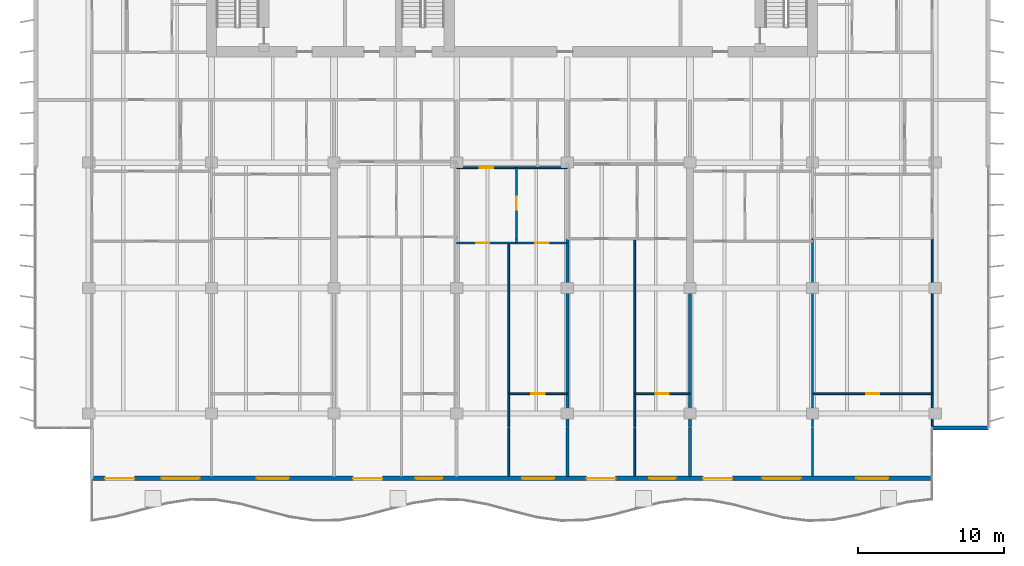
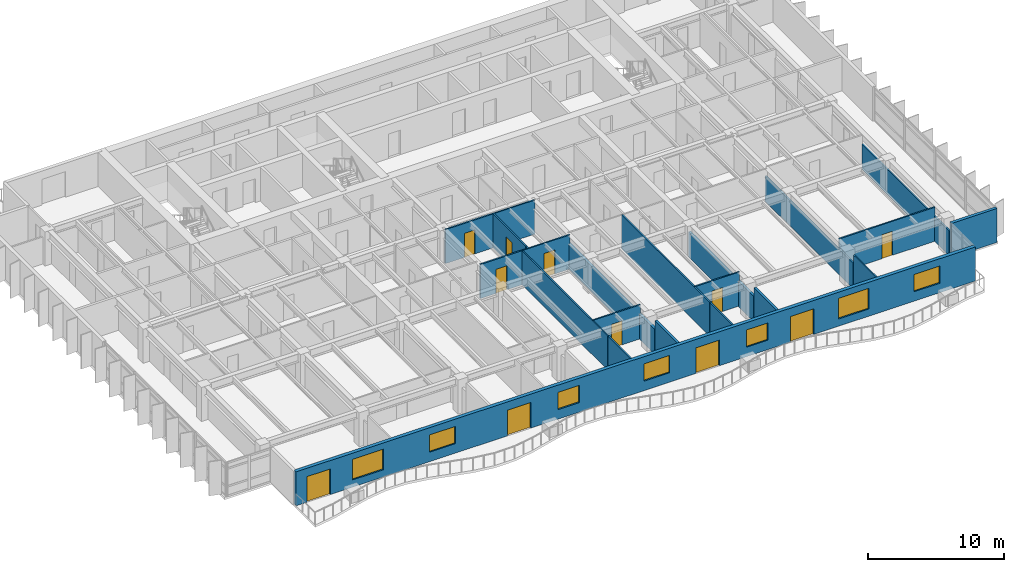
# One storey, part 10 of 19: 20 walls, 11 doors, 7 windows, 18 openings.
"""IFC4 building model written with IfcOpenShell, lengths in metres."""

from ifc_helpers import new_model, si_unit, direction, frame, frame_2d, origin, place, context, subcontext, project, spatial, rectangle, extrude, material, layer, layer_set, type_object, element, fill, save


model = new_model("IFC4")

# Units and contexts
model_context = context("Model", 3, precision=1e-05, world=origin(), true_north=direction((0.0, 1.0)))
body_context = subcontext(model_context, "Body", "Model", "MODEL_VIEW")
ifc_project = project(units=[si_unit("LENGTHUNIT", "METRE"), si_unit("AREAUNIT", "SQUARE_METRE"), si_unit("VOLUMEUNIT", "CUBIC_METRE"), si_unit("PLANEANGLEUNIT", "RADIAN"), si_unit("MASSUNIT", "GRAM", prefix="KILO")], contexts=[model_context])

# Site, building, storey
site_placement = place(None, origin())
site = spatial("IfcSite", under=ifc_project, at=site_placement, CompositionType="ELEMENT")
building_placement = place(site_placement, origin())
building = spatial("IfcBuilding", under=site, at=building_placement, Name="Caelmar Bay Residences", CompositionType="ELEMENT")
storey_placement = place(building_placement, frame((0.0, 0.0, 167.10009765625)))
storey = spatial("IfcBuildingStorey", under=building, at=storey_placement, Name="L46", CompositionType="ELEMENT", Elevation=167.10009765625)

# Wall
ifc_material_1 = material(Name="Precast concrete f'c 40 MPa (6,000 psi)", Category="concrete")
ifc_layer_1 = layer(ifc_material_1, 0.25)
ifc_layer_set_1 = layer_set([ifc_layer_1], Name="Precast concrete f'c 40 MPa (6,000 psi)")
wall_type_1 = type_object("IfcWallType", Name="W-EXT-250", PredefinedType="ELEMENTEDWALL", material=ifc_layer_set_1)
wall_1_placement = place(storey_placement, frame((67.699951171875, 11.199951171875, 0.0), z_axis=(0.0, 0.0, 1.0), x_axis=(1.0, 0.0, 0.0)))
element("IfcWall", 1, at=wall_1_placement, inside=storey, type_object=wall_type_1, Name="L46 SE Notch Return Wall", PredefinedType="ELEMENTEDWALL", context=body_context, shape_type="SweptSolid", body=[
    extrude(rectangle(XDim=3.85009765625, YDim=0.25, at=frame_2d((1.925048828125, 0.0))), origin(), (0.0, 0.0, 1.0), 3.0498046875),
])

# Wall, openings, doors, windows
ifc_layer_2 = layer(ifc_material_1, 0.300048828125)
ifc_layer_set_2 = layer_set([ifc_layer_2], Name="Precast concrete f'c 40 MPa (6,000 psi)")
wall_type_2 = type_object("IfcWallType", Name="W-EXT-300", PredefinedType="STANDARD", material=ifc_layer_set_2)
wall_2_placement = place(storey_placement, frame((67.699951171875, 7.75, 0.0), z_axis=(0.0, 0.0, 1.0), x_axis=(-1.0, 0.0, 0.0)))
wall_2 = element("IfcWall", 2, at=wall_2_placement, inside=storey, type_object=wall_type_2, Name="L46 South Bayfront Exterior Wall", PredefinedType="STANDARD", context=body_context, shape_type="SweptSolid", body=[
    extrude(rectangle(XDim=57.599853515625, YDim=0.300048828125, at=frame_2d((28.7998046875, 0.0))), origin(), (0.0, 0.0, 1.0), 3.0498046875),
])
opening_1_placement = place(wall_2_placement, frame((54.68994140625, 0.0, 0.0)))
opening_1 = element("IfcOpeningElement", 3, at=opening_1_placement, cuts=wall_2, Name="Opening L46-BD01", PredefinedType="OPENING", context=body_context, shape_type="SweptSolid", body=[
    extrude(rectangle(XDim=2.0, YDim=2.300048828125, at=frame_2d((1.0, 1.14990234375))), frame((0.0, 0.159912109375, 0.0), z_axis=(0.0, -1.0, 0.0), x_axis=(1.0, 0.0, 0.0)), (0.0, 0.0, 1.0), 0.320068359375),
])
opening_2_placement = place(wall_2_placement, frame((50.2099609375, 0.0, 0.64990234375)))
opening_2 = element("IfcOpeningElement", 4, at=opening_2_placement, cuts=wall_2, Name="Opening WN3", PredefinedType="OPENING", context=body_context, shape_type="SweptSolid", body=[
    extrude(rectangle(XDim=2.60009765625, YDim=1.85009765625, at=frame_2d((1.300048828125, 0.925048828125))), frame((0.0, 0.159912109375, 0.0), z_axis=(0.0, -1.0, 0.0), x_axis=(1.0, 0.0, 0.0)), (0.0, 0.0, 1.0), 0.320068359375),
])
opening_3_placement = place(wall_2_placement, frame((44.10009765625, 0.0, 0.85009765625)))
opening_3 = element("IfcOpeningElement", 5, at=opening_3_placement, cuts=wall_2, Name="Opening WN2", PredefinedType="OPENING", context=body_context, shape_type="SweptSolid", body=[
    extrude(rectangle(XDim=2.199951171875, YDim=1.550048828125, at=frame_2d((1.10009765625, 0.77490234375))), frame((0.0, 0.159912109375, 0.0), z_axis=(0.0, -1.0, 0.0), x_axis=(1.0, 0.0, 0.0)), (0.0, 0.0, 1.0), 0.320068359375),
])
opening_4_placement = place(wall_2_placement, frame((37.68994140625, 0.0, 0.0)))
opening_4 = element("IfcOpeningElement", 6, at=opening_4_placement, cuts=wall_2, Name="Opening L46-BD02", PredefinedType="OPENING", context=body_context, shape_type="SweptSolid", body=[
    extrude(rectangle(XDim=2.0, YDim=2.300048828125, at=frame_2d((1.0, 1.14990234375))), frame((0.0, 0.159912109375, 0.0), z_axis=(0.0, -1.0, 0.0), x_axis=(1.0, 0.0, 0.0)), (0.0, 0.0, 1.0), 0.320068359375),
])
opening_5_placement = place(wall_2_placement, frame((33.590087890625, 0.0, 0.85009765625)))
opening_5 = element("IfcOpeningElement", 7, at=opening_5_placement, cuts=wall_2, Name="Opening WN1", PredefinedType="OPENING", context=body_context, shape_type="SweptSolid", body=[
    extrude(rectangle(XDim=1.800048828125, YDim=1.550048828125, at=frame_2d((0.89990234375, 0.77490234375))), frame((0.0, 0.159912109375, 0.0), z_axis=(0.0, -1.0, 0.0), x_axis=(1.0, 0.0, 0.0)), (0.0, 0.0, 1.0), 0.320068359375),
])
opening_6_placement = place(wall_2_placement, frame((25.9140625, 0.0, 0.85009765625)))
opening_6 = element("IfcOpeningElement", 8, at=opening_6_placement, cuts=wall_2, Name="Opening WN2", PredefinedType="OPENING", context=body_context, shape_type="SweptSolid", body=[
    extrude(rectangle(XDim=2.199951171875, YDim=1.550048828125, at=frame_2d((1.10009765625, 0.77490234375))), frame((0.0, 0.159912109375, 0.0), z_axis=(0.0, -1.0, 0.0), x_axis=(1.0, 0.0, 0.0)), (0.0, 0.0, 1.0), 0.320068359375),
])
opening_7_placement = place(wall_2_placement, frame((21.68994140625, 0.0, 0.0)))
opening_7 = element("IfcOpeningElement", 9, at=opening_7_placement, cuts=wall_2, Name="Opening L46-BD03", PredefinedType="OPENING", context=body_context, shape_type="SweptSolid", body=[
    extrude(rectangle(XDim=2.0, YDim=2.300048828125, at=frame_2d((1.0, 1.14990234375))), frame((0.0, 0.159912109375, 0.0), z_axis=(0.0, -1.0, 0.0), x_axis=(1.0, 0.0, 0.0)), (0.0, 0.0, 1.0), 0.320068359375),
])
opening_8_placement = place(wall_2_placement, frame((17.590087890625, 0.0, 0.85009765625)))
opening_8 = element("IfcOpeningElement", 10, at=opening_8_placement, cuts=wall_2, Name="Opening WN1", PredefinedType="OPENING", context=body_context, shape_type="SweptSolid", body=[
    extrude(rectangle(XDim=1.800048828125, YDim=1.550048828125, at=frame_2d((0.89990234375, 0.77490234375))), frame((0.0, 0.159912109375, 0.0), z_axis=(0.0, -1.0, 0.0), x_axis=(1.0, 0.0, 0.0)), (0.0, 0.0, 1.0), 0.320068359375),
])
opening_9_placement = place(wall_2_placement, frame((13.68994140625, 0.0, 0.0)))
opening_9 = element("IfcOpeningElement", 11, at=opening_9_placement, cuts=wall_2, Name="Opening L46-BD04", PredefinedType="OPENING", context=body_context, shape_type="SweptSolid", body=[
    extrude(rectangle(XDim=2.0, YDim=2.300048828125, at=frame_2d((1.0, 1.14990234375))), frame((0.0, 0.159912109375, 0.0), z_axis=(0.0, -1.0, 0.0), x_axis=(1.0, 0.0, 0.0)), (0.0, 0.0, 1.0), 0.320068359375),
])
opening_10_placement = place(wall_2_placement, frame((9.010009765625, 0.0, 0.64990234375)))
opening_10 = element("IfcOpeningElement", 12, at=opening_10_placement, cuts=wall_2, Name="Opening WN3", PredefinedType="OPENING", context=body_context, shape_type="SweptSolid", body=[
    extrude(rectangle(XDim=2.60009765625, YDim=1.85009765625, at=frame_2d((1.300048828125, 0.925048828125))), frame((0.0, 0.159912109375, 0.0), z_axis=(0.0, -1.0, 0.0), x_axis=(1.0, 0.0, 0.0)), (0.0, 0.0, 1.0), 0.320068359375),
])
opening_11_placement = place(wall_2_placement, frame((3.0, 0.0, 0.85009765625)))
opening_11 = element("IfcOpeningElement", 13, at=opening_11_placement, cuts=wall_2, Name="Opening WN2", PredefinedType="OPENING", context=body_context, shape_type="SweptSolid", body=[
    extrude(rectangle(XDim=2.199951171875, YDim=1.550048828125, at=frame_2d((1.10009765625, 0.77490234375))), frame((0.0, 0.159912109375, 0.0), z_axis=(0.0, -1.0, 0.0), x_axis=(1.0, 0.0, 0.0)), (0.0, 0.0, 1.0), 0.320068359375),
])
ifc_material_2 = material(Name="Anodised bronze thermally broken sliding glass door", Category="glass")
ifc_layer_3 = layer(ifc_material_2, 0.050048828125)
ifc_layer_set_3 = layer_set([ifc_layer_3], Name="Anodised bronze thermally broken sliding glass door")
door_type_1 = type_object("IfcDoorType", Name="D-BAL-2000", OperationType="DOUBLE_DOOR_SLIDING", PredefinedType="DOOR", material=ifc_layer_set_3)
door_1_placement = place(opening_1_placement, origin())
door_1 = element("IfcDoor", 14, at=door_1_placement, inside=storey, type_object=door_type_1, Name="L46 Residence 01 Penthouse Living Salon Balcony Door", OperationType="DOUBLE_DOOR_SLIDING", OverallHeight=2.300048828125, OverallWidth=2.0, PredefinedType="DOOR", context=body_context, shape_type="SweptSolid", body=[
    extrude(rectangle(XDim=2.0, YDim=2.300048828125, at=frame_2d((1.0, 1.14990234375))), frame((0.0, 0.02490234375, 0.0), z_axis=(0.0, -1.0, 0.0), x_axis=(1.0, 0.0, 0.0)), (0.0, 0.0, 1.0), 0.050048828125),
])
fill(opening_1, door_1)
door_2_placement = place(opening_4_placement, origin())
door_2 = element("IfcDoor", 15, at=door_2_placement, inside=storey, type_object=door_type_1, Name="L46 Residence 02 Penthouse Living Salon Balcony Door", OperationType="DOUBLE_DOOR_SLIDING", OverallHeight=2.300048828125, OverallWidth=2.0, PredefinedType="DOOR", context=body_context, shape_type="SweptSolid", body=[
    extrude(rectangle(XDim=2.0, YDim=2.300048828125, at=frame_2d((1.0, 1.14990234375))), frame((0.0, 0.02490234375, 0.0), z_axis=(0.0, -1.0, 0.0), x_axis=(1.0, 0.0, 0.0)), (0.0, 0.0, 1.0), 0.050048828125),
])
fill(opening_4, door_2)
door_3_placement = place(opening_7_placement, origin())
door_3 = element("IfcDoor", 16, at=door_3_placement, inside=storey, type_object=door_type_1, Name="L46 Residence 04 Living Room Balcony Door", OperationType="DOUBLE_DOOR_SLIDING", OverallHeight=2.300048828125, OverallWidth=2.0, PredefinedType="DOOR", context=body_context, shape_type="SweptSolid", body=[
    extrude(rectangle(XDim=2.0, YDim=2.300048828125, at=frame_2d((1.0, 1.14990234375))), frame((0.0, 0.02490234375, 0.0), z_axis=(0.0, -1.0, 0.0), x_axis=(1.0, 0.0, 0.0)), (0.0, 0.0, 1.0), 0.050048828125),
])
fill(opening_7, door_3)
door_4_placement = place(opening_9_placement, origin())
door_4 = element("IfcDoor", 17, at=door_4_placement, inside=storey, type_object=door_type_1, Name="L46 Residence 05 Penthouse Living Salon Balcony Door", OperationType="DOUBLE_DOOR_SLIDING", OverallHeight=2.300048828125, OverallWidth=2.0, PredefinedType="DOOR", context=body_context, shape_type="SweptSolid", body=[
    extrude(rectangle(XDim=2.0, YDim=2.300048828125, at=frame_2d((1.0, 1.14990234375))), frame((0.0, 0.02490234375, 0.0), z_axis=(0.0, -1.0, 0.0), x_axis=(1.0, 0.0, 0.0)), (0.0, 0.0, 1.0), 0.050048828125),
])
fill(opening_9, door_4)
ifc_material_3 = material(Name="Bronze aluminium frame with laminated low-E glass", Category="aluminium")
ifc_layer_4 = layer(ifc_material_3, 0.06005859375)
ifc_layer_set_4 = layer_set([ifc_layer_4], Name="Bronze aluminium frame with laminated low-E glass")
window_type_1 = type_object("IfcWindowType", Name="WIN-BR-1800", PartitioningType="SINGLE_PANEL", PredefinedType="WINDOW", material=ifc_layer_set_4)
window_1_placement = place(opening_5_placement, origin())
window_1 = element("IfcWindow", 18, at=window_1_placement, inside=storey, type_object=window_type_1, Name="L46 Residence 02 Primary Bedroom Window", OverallHeight=1.550048828125, OverallWidth=1.800048828125, PartitioningType="SINGLE_PANEL", PredefinedType="WINDOW", context=body_context, shape_type="SweptSolid", body=[
    extrude(rectangle(XDim=1.800048828125, YDim=1.550048828125, at=frame_2d((0.89990234375, 0.77490234375))), frame((0.0, 0.030029296875, 0.0), z_axis=(0.0, -1.0, 0.0), x_axis=(1.0, 0.0, 0.0)), (0.0, 0.0, 1.0), 0.06005859375),
])
fill(opening_5, window_1)
window_2_placement = place(opening_8_placement, origin())
window_2 = element("IfcWindow", 19, at=window_2_placement, inside=storey, type_object=window_type_1, Name="L46 Residence 04 Primary Bedroom Window", OverallHeight=1.550048828125, OverallWidth=1.800048828125, PartitioningType="SINGLE_PANEL", PredefinedType="WINDOW", context=body_context, shape_type="SweptSolid", body=[
    extrude(rectangle(XDim=1.800048828125, YDim=1.550048828125, at=frame_2d((0.89990234375, 0.77490234375))), frame((0.0, 0.030029296875, 0.0), z_axis=(0.0, -1.0, 0.0), x_axis=(1.0, 0.0, 0.0)), (0.0, 0.0, 1.0), 0.06005859375),
])
fill(opening_8, window_2)
ifc_layer_5 = layer(ifc_material_3, 0.06005859375)
ifc_layer_set_5 = layer_set([ifc_layer_5], Name="Bronze aluminium frame with laminated low-E glass")
window_type_2 = type_object("IfcWindowType", Name="WIN-BR-2200", PartitioningType="SINGLE_PANEL", PredefinedType="WINDOW", material=ifc_layer_set_5)
window_3_placement = place(opening_3_placement, origin())
window_3 = element("IfcWindow", 20, at=window_3_placement, inside=storey, type_object=window_type_2, Name="L46 Residence 01 Primary Bedroom 1 Window", OverallHeight=1.550048828125, OverallWidth=2.199951171875, PartitioningType="SINGLE_PANEL", PredefinedType="WINDOW", context=body_context, shape_type="SweptSolid", body=[
    extrude(rectangle(XDim=2.199951171875, YDim=1.550048828125, at=frame_2d((1.10009765625, 0.77490234375))), frame((0.0, 0.030029296875, 0.0), z_axis=(0.0, -1.0, 0.0), x_axis=(1.0, 0.0, 0.0)), (0.0, 0.0, 1.0), 0.06005859375),
])
fill(opening_3, window_3)
window_4_placement = place(opening_6_placement, origin())
window_4 = element("IfcWindow", 21, at=window_4_placement, inside=storey, type_object=window_type_2, Name="L46 Residence 03 Primary Bedroom Window", OverallHeight=1.550048828125, OverallWidth=2.199951171875, PartitioningType="SINGLE_PANEL", PredefinedType="WINDOW", context=body_context, shape_type="SweptSolid", body=[
    extrude(rectangle(XDim=2.199951171875, YDim=1.550048828125, at=frame_2d((1.10009765625, 0.77490234375))), frame((0.0, 0.030029296875, 0.0), z_axis=(0.0, -1.0, 0.0), x_axis=(1.0, 0.0, 0.0)), (0.0, 0.0, 1.0), 0.06005859375),
])
fill(opening_6, window_4)
window_5_placement = place(opening_11_placement, origin())
window_5 = element("IfcWindow", 22, at=window_5_placement, inside=storey, type_object=window_type_2, Name="L46 Residence 05 Primary Bedroom 1 Window", OverallHeight=1.550048828125, OverallWidth=2.199951171875, PartitioningType="SINGLE_PANEL", PredefinedType="WINDOW", context=body_context, shape_type="SweptSolid", body=[
    extrude(rectangle(XDim=2.199951171875, YDim=1.550048828125, at=frame_2d((1.10009765625, 0.77490234375))), frame((0.0, 0.030029296875, 0.0), z_axis=(0.0, -1.0, 0.0), x_axis=(1.0, 0.0, 0.0)), (0.0, 0.0, 1.0), 0.06005859375),
])
fill(opening_11, window_5)
ifc_layer_6 = layer(ifc_material_3, 0.06005859375)
ifc_layer_set_6 = layer_set([ifc_layer_6], Name="Bronze aluminium frame with laminated low-E glass")
window_type_3 = type_object("IfcWindowType", Name="WIN-LIV-2600", PartitioningType="SINGLE_PANEL", PredefinedType="WINDOW", material=ifc_layer_set_6)
window_6_placement = place(opening_2_placement, origin())
window_6 = element("IfcWindow", 23, at=window_6_placement, inside=storey, type_object=window_type_3, Name="L46 Residence 01 Penthouse Living Salon Panoramic Window", OverallHeight=1.85009765625, OverallWidth=2.60009765625, PartitioningType="SINGLE_PANEL", PredefinedType="WINDOW", context=body_context, shape_type="SweptSolid", body=[
    extrude(rectangle(XDim=2.60009765625, YDim=1.85009765625, at=frame_2d((1.300048828125, 0.925048828125))), frame((0.0, 0.030029296875, 0.0), z_axis=(0.0, -1.0, 0.0), x_axis=(1.0, 0.0, 0.0)), (0.0, 0.0, 1.0), 0.06005859375),
])
fill(opening_2, window_6)
window_7_placement = place(opening_10_placement, origin())
window_7 = element("IfcWindow", 24, at=window_7_placement, inside=storey, type_object=window_type_3, Name="L46 Residence 05 Penthouse Living Salon Panoramic Window", OverallHeight=1.85009765625, OverallWidth=2.60009765625, PartitioningType="SINGLE_PANEL", PredefinedType="WINDOW", context=body_context, shape_type="SweptSolid", body=[
    extrude(rectangle(XDim=2.60009765625, YDim=1.85009765625, at=frame_2d((1.300048828125, 0.925048828125))), frame((0.0, 0.030029296875, 0.0), z_axis=(0.0, -1.0, 0.0), x_axis=(1.0, 0.0, 0.0)), (0.0, 0.0, 1.0), 0.06005859375),
])
fill(opening_10, window_7)

# Walls
ifc_material_4 = material(Name="Acoustic metal-stud gypsum partition 120 mm")
ifc_layer_7 = layer(ifc_material_4, 0.1201171875)
ifc_layer_set_7 = layer_set([ifc_layer_7], Name="Acoustic metal-stud gypsum partition 120 mm")
wall_type_3 = type_object("IfcWallType", Name="W-PRT-120", PredefinedType="PARTITIONING", material=ifc_layer_set_7)
wall_3_placement = place(storey_placement, frame((38.672119140625, 7.89501953125, 0.0), z_axis=(0.0, 0.0, 1.0), x_axis=(0.0, 1.0, 0.0)))
element("IfcWall", 25, at=wall_3_placement, inside=storey, type_object=wall_type_3, Name="L46 Partition Wall V042", PredefinedType="PARTITIONING", context=body_context, shape_type="SweptSolid", body=[
    extrude(rectangle(XDim=3.304931640625, YDim=0.1201171875, at=frame_2d((1.65234375, 0.0))), origin(), (0.0, 0.0, 1.0), 3.0498046875),
])
wall_4_placement = place(storey_placement, frame((38.672119140625, 11.239990234375, 0.0), z_axis=(0.0, 0.0, 1.0), x_axis=(0.0, 1.0, 0.0)))
element("IfcWall", 26, at=wall_4_placement, inside=storey, type_object=wall_type_3, Name="L46 Partition Wall V043", PredefinedType="PARTITIONING", context=body_context, shape_type="SweptSolid", body=[
    extrude(rectangle(XDim=12.64990234375, YDim=0.1201171875, at=frame_2d((6.324951171875, 0.0))), origin(), (0.0, 0.0, 1.0), 3.0498046875),
])
wall_5_placement = place(storey_placement, frame((39.2041015625, 23.889892578125, 0.0), z_axis=(0.0, 0.0, 1.0), x_axis=(0.0, 1.0, 0.0)))
element("IfcWall", 27, at=wall_5_placement, inside=storey, type_object=wall_type_3, Name="L46 Partition Wall V044", PredefinedType="PARTITIONING", context=body_context, shape_type="SweptSolid", body=[
    extrude(rectangle(XDim=0.280029296875, YDim=0.1201171875, at=frame_2d((0.14013671875, 0.0))), origin(), (0.0, 0.0, 1.0), 3.0498046875),
])

# Wall, opening, door
wall_6_placement = place(storey_placement, frame((39.2041015625, 24.199951171875, 0.0), z_axis=(0.0, 0.0, 1.0), x_axis=(0.0, 1.0, 0.0)))
wall_6 = element("IfcWall", 28, at=wall_6_placement, inside=storey, type_object=wall_type_3, Name="L46 Partition Wall V045", PredefinedType="PARTITIONING", context=body_context, shape_type="SweptSolid", body=[
    extrude(rectangle(XDim=4.840087890625, YDim=0.1201171875, at=frame_2d((2.419921875, 0.0))), origin(), (0.0, 0.0, 1.0), 3.0498046875),
])
opening_12_placement = place(wall_6_placement, frame((1.969970703125, 0.0, 0.0)))
opening_12 = element("IfcOpeningElement", 29, at=opening_12_placement, cuts=wall_6, Name="Opening D-L46-142", PredefinedType="OPENING", context=body_context, shape_type="SweptSolid", body=[
    extrude(rectangle(XDim=0.89990234375, YDim=2.14990234375, at=frame_2d((0.449951171875, 1.074951171875))), frame((0.0, 0.070068359375, 0.0), z_axis=(0.0, -1.0, 0.0), x_axis=(1.0, 0.0, 0.0)), (0.0, 0.0, 1.0), 0.14013671875),
])
ifc_material_5 = material(Name="Solid walnut timber interior door leaf and frame", Category="wood")
ifc_layer_8 = layer(ifc_material_5, 0.050048828125)
ifc_layer_set_8 = layer_set([ifc_layer_8], Name="Solid walnut timber interior door leaf and frame")
door_type_2 = type_object("IfcDoorType", Name="D-ROOM-900", OperationType="NOTDEFINED", PredefinedType="DOOR", material=ifc_layer_set_8)
door_5_placement = place(opening_12_placement, origin())
door_5 = element("IfcDoor", 30, at=door_5_placement, inside=storey, type_object=door_type_2, Name="L46 Residence 03 Home Office Door", OperationType="SINGLE_SWING_LEFT", OverallHeight=2.14990234375, OverallWidth=0.89990234375, PredefinedType="DOOR", context=body_context, shape_type="SweptSolid", body=[
    extrude(rectangle(XDim=0.89990234375, YDim=2.14990234375, at=frame_2d((0.449951171875, 1.074951171875))), frame((0.0, 0.02490234375, 0.0), z_axis=(0.0, -1.0, 0.0), x_axis=(1.0, 0.0, 0.0)), (0.0, 0.0, 1.0), 0.050048828125),
])
fill(opening_12, door_5)

# Walls
wall_7_placement = place(storey_placement, frame((47.320068359375, 7.89501953125, 0.0), z_axis=(0.0, 0.0, 1.0), x_axis=(0.0, 1.0, 0.0)))
element("IfcWall", 31, at=wall_7_placement, inside=storey, type_object=wall_type_3, Name="L46 Partition Wall V056", PredefinedType="PARTITIONING", context=body_context, shape_type="SweptSolid", body=[
    extrude(rectangle(XDim=3.304931640625, YDim=0.1201171875, at=frame_2d((1.65234375, 0.0))), origin(), (0.0, 0.0, 1.0), 3.0498046875),
])
wall_8_placement = place(storey_placement, frame((47.320068359375, 11.239990234375, 0.0), z_axis=(0.0, 0.0, 1.0), x_axis=(0.0, 1.0, 0.0)))
element("IfcWall", 32, at=wall_8_placement, inside=storey, type_object=wall_type_3, Name="L46 Partition Wall V057", PredefinedType="PARTITIONING", context=body_context, shape_type="SweptSolid", body=[
    extrude(rectangle(XDim=12.929931640625, YDim=0.1201171875, at=frame_2d((6.46484375, 0.0))), origin(), (0.0, 0.0, 1.0), 3.0498046875),
])
wall_9_placement = place(storey_placement, frame((59.5, 7.89501953125, 0.0), z_axis=(0.0, 0.0, 1.0), x_axis=(0.0, 1.0, 0.0)))
element("IfcWall", 33, at=wall_9_placement, inside=storey, type_object=wall_type_3, Name="L46 Partition Wall V075", PredefinedType="PARTITIONING", context=body_context, shape_type="SweptSolid", body=[
    extrude(rectangle(XDim=3.304931640625, YDim=0.1201171875, at=frame_2d((1.65234375, 0.0))), origin(), (0.0, 0.0, 1.0), 3.0498046875),
])
wall_10_placement = place(storey_placement, frame((59.5, 11.239990234375, 0.0), z_axis=(0.0, 0.0, 1.0), x_axis=(0.0, 1.0, 0.0)))
element("IfcWall", 34, at=wall_10_placement, inside=storey, type_object=wall_type_3, Name="L46 Partition Wall V076", PredefinedType="PARTITIONING", context=body_context, shape_type="SweptSolid", body=[
    extrude(rectangle(XDim=12.929931640625, YDim=0.1201171875, at=frame_2d((6.46484375, 0.0))), origin(), (0.0, 0.0, 1.0), 2.262939453125),
])
wall_11_placement = place(storey_placement, frame((67.699951171875, 11.320068359375, 0.0), z_axis=(0.0, 0.0, 1.0), x_axis=(0.0, 1.0, 0.0)))
element("IfcWall", 35, at=wall_11_placement, inside=storey, type_object=wall_type_3, Name="L46 Partition Wall V085", PredefinedType="PARTITIONING", context=body_context, shape_type="SweptSolid", body=[
    extrude(rectangle(XDim=12.849853515625, YDim=0.1201171875, at=frame_2d((6.4248046875, 0.0))), origin(), (0.0, 0.0, 1.0), 2.262939453125),
])

# Wall, opening, door
wall_12_placement = place(storey_placement, frame((38.672119140625, 13.550048828125, 0.0), z_axis=(0.0, 0.0, 1.0), x_axis=(1.0, 0.0, 0.0)))
wall_12 = element("IfcWall", 36, at=wall_12_placement, inside=storey, type_object=wall_type_3, Name="L46 Partition Wall H094", PredefinedType="PARTITIONING", context=body_context, shape_type="SweptSolid", body=[
    extrude(rectangle(XDim=4.02783203125, YDim=0.1201171875, at=frame_2d((2.013916015625, 0.0))), origin(), (0.0, 0.0, 1.0), 3.0498046875),
])
opening_13_placement = place(wall_12_placement, frame((1.56396484375, 0.0, 0.0)))
opening_13 = element("IfcOpeningElement", 37, at=opening_13_placement, cuts=wall_12, Name="Opening D-L46-145", PredefinedType="OPENING", context=body_context, shape_type="SweptSolid", body=[
    extrude(rectangle(XDim=0.89990234375, YDim=2.14990234375, at=frame_2d((0.449951171875, 1.074951171875))), frame((0.0, 0.070068359375, 0.0), z_axis=(0.0, -1.0, 0.0), x_axis=(1.0, 0.0, 0.0)), (0.0, 0.0, 1.0), 0.14013671875),
])
door_6_placement = place(opening_13_placement, origin())
door_6 = element("IfcDoor", 38, at=door_6_placement, inside=storey, type_object=door_type_2, Name="L46 Residence 03 Primary Bedroom Door", OperationType="SINGLE_SWING_RIGHT", OverallHeight=2.14990234375, OverallWidth=0.89990234375, PredefinedType="DOOR", context=body_context, shape_type="SweptSolid", body=[
    extrude(rectangle(XDim=0.89990234375, YDim=2.14990234375, at=frame_2d((0.449951171875, 1.074951171875))), frame((0.0, 0.02490234375, 0.0), z_axis=(0.0, -1.0, 0.0), x_axis=(1.0, 0.0, 0.0)), (0.0, 0.0, 1.0), 0.050048828125),
])
fill(opening_13, door_6)

wall_13_placement = place(storey_placement, frame((47.320068359375, 13.550048828125, 0.0), z_axis=(0.0, 0.0, 1.0), x_axis=(1.0, 0.0, 0.0)))
wall_13 = element("IfcWall", 39, at=wall_13_placement, inside=storey, type_object=wall_type_3, Name="L46 Partition Wall H095", PredefinedType="PARTITIONING", context=body_context, shape_type="SweptSolid", body=[
    extrude(rectangle(XDim=3.780029296875, YDim=0.1201171875, at=frame_2d((1.89013671875, 0.0))), origin(), (0.0, 0.0, 1.0), 3.0498046875),
])
opening_14_placement = place(wall_13_placement, frame((1.43994140625, 0.0, 0.0)))
opening_14 = element("IfcOpeningElement", 40, at=opening_14_placement, cuts=wall_13, Name="Opening D-L46-152", PredefinedType="OPENING", context=body_context, shape_type="SweptSolid", body=[
    extrude(rectangle(XDim=0.89990234375, YDim=2.14990234375, at=frame_2d((0.449951171875, 1.074951171875))), frame((0.0, 0.070068359375, 0.0), z_axis=(0.0, -1.0, 0.0), x_axis=(1.0, 0.0, 0.0)), (0.0, 0.0, 1.0), 0.14013671875),
])
door_7_placement = place(opening_14_placement, origin())
door_7 = element("IfcDoor", 41, at=door_7_placement, inside=storey, type_object=door_type_2, Name="L46 Residence 04 Primary Bedroom Door", OperationType="SINGLE_SWING_LEFT", OverallHeight=2.14990234375, OverallWidth=0.89990234375, PredefinedType="DOOR", context=body_context, shape_type="SweptSolid", body=[
    extrude(rectangle(XDim=0.89990234375, YDim=2.14990234375, at=frame_2d((0.449951171875, 1.074951171875))), frame((0.0, 0.02490234375, 0.0), z_axis=(0.0, -1.0, 0.0), x_axis=(1.0, 0.0, 0.0)), (0.0, 0.0, 1.0), 0.050048828125),
])
fill(opening_14, door_7)

wall_14_placement = place(storey_placement, frame((59.550048828125, 13.550048828125, 0.0), z_axis=(0.0, 0.0, 1.0), x_axis=(1.0, 0.0, 0.0)))
wall_14 = element("IfcWall", 42, at=wall_14_placement, inside=storey, type_object=wall_type_3, Name="L46 Partition Wall H096", PredefinedType="PARTITIONING", context=body_context, shape_type="SweptSolid", body=[
    extrude(rectangle(XDim=8.14990234375, YDim=0.1201171875, at=frame_2d((4.074951171875, 0.0))), origin(), (0.0, 0.0, 1.0), 3.0498046875),
])
opening_15_placement = place(wall_14_placement, frame((3.625, 0.0, 0.0)))
opening_15 = element("IfcOpeningElement", 43, at=opening_15_placement, cuts=wall_14, Name="Opening D-L46-162", PredefinedType="OPENING", context=body_context, shape_type="SweptSolid", body=[
    extrude(rectangle(XDim=0.89990234375, YDim=2.14990234375, at=frame_2d((0.449951171875, 1.074951171875))), frame((0.0, 0.070068359375, 0.0), z_axis=(0.0, -1.0, 0.0), x_axis=(1.0, 0.0, 0.0)), (0.0, 0.0, 1.0), 0.14013671875),
])
door_8_placement = place(opening_15_placement, origin())
door_8 = element("IfcDoor", 44, at=door_8_placement, inside=storey, type_object=door_type_2, Name="L46 Residence 05 Primary Bedroom 1 Door", OperationType="SINGLE_SWING_LEFT", OverallHeight=2.14990234375, OverallWidth=0.89990234375, PredefinedType="DOOR", context=body_context, shape_type="SweptSolid", body=[
    extrude(rectangle(XDim=0.89990234375, YDim=2.14990234375, at=frame_2d((0.449951171875, 1.074951171875))), frame((0.0, 0.02490234375, 0.0), z_axis=(0.0, -1.0, 0.0), x_axis=(1.0, 0.0, 0.0)), (0.0, 0.0, 1.0), 0.050048828125),
])
fill(opening_15, door_8)

# Wall, openings, doors
wall_15_placement = place(storey_placement, frame((35.10009765625, 23.889892578125, 0.0), z_axis=(0.0, 0.0, 1.0), x_axis=(1.0, 0.0, 0.0)))
wall_15 = element("IfcWall", 45, at=wall_15_placement, inside=storey, type_object=wall_type_3, Name="L46 Partition Wall H097", PredefinedType="PARTITIONING", context=body_context, shape_type="SweptSolid", body=[
    extrude(rectangle(XDim=7.599853515625, YDim=0.1201171875, at=frame_2d((3.7998046875, 0.0))), origin(), (0.0, 0.0, 1.0), 3.0498046875),
])
opening_16_placement = place(wall_15_placement, frame((1.3359375, 0.0, 0.0)))
opening_16 = element("IfcOpeningElement", 46, at=opening_16_placement, cuts=wall_15, Name="Opening D-L46-143", PredefinedType="OPENING", context=body_context, shape_type="SweptSolid", body=[
    extrude(rectangle(XDim=0.89990234375, YDim=2.14990234375, at=frame_2d((0.449951171875, 1.074951171875))), frame((0.0, 0.070068359375, 0.0), z_axis=(0.0, -1.0, 0.0), x_axis=(1.0, 0.0, 0.0)), (0.0, 0.0, 1.0), 0.14013671875),
])
opening_17_placement = place(wall_15_placement, frame((5.402099609375, 0.0, 0.0)))
opening_17 = element("IfcOpeningElement", 47, at=opening_17_placement, cuts=wall_15, Name="Opening D-L46-144", PredefinedType="OPENING", context=body_context, shape_type="SweptSolid", body=[
    extrude(rectangle(XDim=0.89990234375, YDim=2.14990234375, at=frame_2d((0.449951171875, 1.074951171875))), frame((0.0, 0.070068359375, 0.0), z_axis=(0.0, -1.0, 0.0), x_axis=(1.0, 0.0, 0.0)), (0.0, 0.0, 1.0), 0.14013671875),
])
door_9_placement = place(opening_16_placement, origin())
door_9 = element("IfcDoor", 48, at=door_9_placement, inside=storey, type_object=door_type_2, Name="L46 Residence 03 Living Room Door", OperationType="SINGLE_SWING_RIGHT", OverallHeight=2.14990234375, OverallWidth=0.89990234375, PredefinedType="DOOR", context=body_context, shape_type="SweptSolid", body=[
    extrude(rectangle(XDim=0.89990234375, YDim=2.14990234375, at=frame_2d((0.449951171875, 1.074951171875))), frame((0.0, 0.02490234375, 0.0), z_axis=(0.0, -1.0, 0.0), x_axis=(1.0, 0.0, 0.0)), (0.0, 0.0, 1.0), 0.050048828125),
])
fill(opening_16, door_9)
door_10_placement = place(opening_17_placement, origin())
door_10 = element("IfcDoor", 49, at=door_10_placement, inside=storey, type_object=door_type_2, Name="L46 Residence 03 Penthouse Sitting Room Door", OperationType="SINGLE_SWING_LEFT", OverallHeight=2.14990234375, OverallWidth=0.89990234375, PredefinedType="DOOR", context=body_context, shape_type="SweptSolid", body=[
    extrude(rectangle(XDim=0.89990234375, YDim=2.14990234375, at=frame_2d((0.449951171875, 1.074951171875))), frame((0.0, 0.02490234375, 0.0), z_axis=(0.0, -1.0, 0.0), x_axis=(1.0, 0.0, 0.0)), (0.0, 0.0, 1.0), 0.050048828125),
])
fill(opening_17, door_10)

# Wall, opening, door
wall_16_placement = place(storey_placement, frame((35.10009765625, 29.0400390625, 0.0), z_axis=(0.0, 0.0, 1.0), x_axis=(1.0, 0.0, 0.0)))
wall_16 = element("IfcWall", 50, at=wall_16_placement, inside=storey, type_object=wall_type_3, Name="L46 Partition Wall H109", PredefinedType="PARTITIONING", context=body_context, shape_type="SweptSolid", body=[
    extrude(rectangle(XDim=7.599853515625, YDim=0.1201171875, at=frame_2d((3.7998046875, 0.0))), origin(), (0.0, 0.0, 1.0), 3.0498046875),
])
opening_18_placement = place(wall_16_placement, frame((1.60205078125, 0.0, 0.0)))
opening_18 = element("IfcOpeningElement", 51, at=opening_18_placement, cuts=wall_16, Name="Opening D-L46-141", PredefinedType="OPENING", context=body_context, shape_type="SweptSolid", body=[
    extrude(rectangle(XDim=0.89990234375, YDim=2.14990234375, at=frame_2d((0.449951171875, 1.074951171875))), frame((0.0, 0.070068359375, 0.0), z_axis=(0.0, -1.0, 0.0), x_axis=(1.0, 0.0, 0.0)), (0.0, 0.0, 1.0), 0.14013671875),
])
door_11_placement = place(opening_18_placement, origin())
door_11 = element("IfcDoor", 52, at=door_11_placement, inside=storey, type_object=door_type_2, Name="L46 Residence 03 Kitchen Door", OperationType="SINGLE_SWING_RIGHT", OverallHeight=2.14990234375, OverallWidth=0.89990234375, PredefinedType="DOOR", context=body_context, shape_type="SweptSolid", body=[
    extrude(rectangle(XDim=0.89990234375, YDim=2.14990234375, at=frame_2d((0.449951171875, 1.074951171875))), frame((0.0, 0.02490234375, 0.0), z_axis=(0.0, -1.0, 0.0), x_axis=(1.0, 0.0, 0.0)), (0.0, 0.0, 1.0), 0.050048828125),
])
fill(opening_18, door_11)

# Walls
ifc_material_6 = material(Name="Acoustic twin-stud fire-rated inter-tenancy partition 200 mm")
ifc_layer_9 = layer(ifc_material_6, 0.199951171875)
ifc_layer_set_9 = layer_set([ifc_layer_9], Name="Acoustic twin-stud fire-rated inter-tenancy partition 200 mm")
wall_type_4 = type_object("IfcWallType", Name="W-PTY-200", PredefinedType="PARTITIONING", material=ifc_layer_set_9)
wall_17_placement = place(storey_placement, frame((42.699951171875, 7.89501953125, 0.0), z_axis=(0.0, 0.0, 1.0), x_axis=(0.0, 1.0, 0.0)))
element("IfcWall", 53, at=wall_17_placement, inside=storey, type_object=wall_type_4, Name="L46 Partition Wall V048", PredefinedType="PARTITIONING", context=body_context, shape_type="SweptSolid", body=[
    extrude(rectangle(XDim=3.304931640625, YDim=0.199951171875, at=frame_2d((1.65234375, 0.0))), origin(), (0.0, 0.0, 1.0), 3.0498046875),
])
wall_18_placement = place(storey_placement, frame((42.699951171875, 11.239990234375, 0.0), z_axis=(0.0, 0.0, 1.0), x_axis=(0.0, 1.0, 0.0)))
element("IfcWall", 54, at=wall_18_placement, inside=storey, type_object=wall_type_4, Name="L46 Partition Wall V049", PredefinedType="PARTITIONING", context=body_context, shape_type="SweptSolid", body=[
    extrude(rectangle(XDim=12.929931640625, YDim=0.199951171875, at=frame_2d((6.46484375, 0.0))), origin(), (0.0, 0.0, 1.0), 2.262939453125),
])
wall_19_placement = place(storey_placement, frame((51.10009765625, 7.89501953125, 0.0), z_axis=(0.0, 0.0, 1.0), x_axis=(0.0, 1.0, 0.0)))
element("IfcWall", 55, at=wall_19_placement, inside=storey, type_object=wall_type_4, Name="L46 Partition Wall V064", PredefinedType="PARTITIONING", context=body_context, shape_type="SweptSolid", body=[
    extrude(rectangle(XDim=3.304931640625, YDim=0.199951171875, at=frame_2d((1.65234375, 0.0))), origin(), (0.0, 0.0, 1.0), 3.0498046875),
])
wall_20_placement = place(storey_placement, frame((51.10009765625, 11.239990234375, 0.0), z_axis=(0.0, 0.0, 1.0), x_axis=(0.0, 1.0, 0.0)))
element("IfcWall", 56, at=wall_20_placement, inside=storey, type_object=wall_type_4, Name="L46 Partition Wall V065", PredefinedType="PARTITIONING", context=body_context, shape_type="SweptSolid", body=[
    extrude(rectangle(XDim=9.554931640625, YDim=0.199951171875, at=frame_2d((4.77734375, 0.0))), origin(), (0.0, 0.0, 1.0), 2.262939453125),
])

save(model, "model.ifc")
